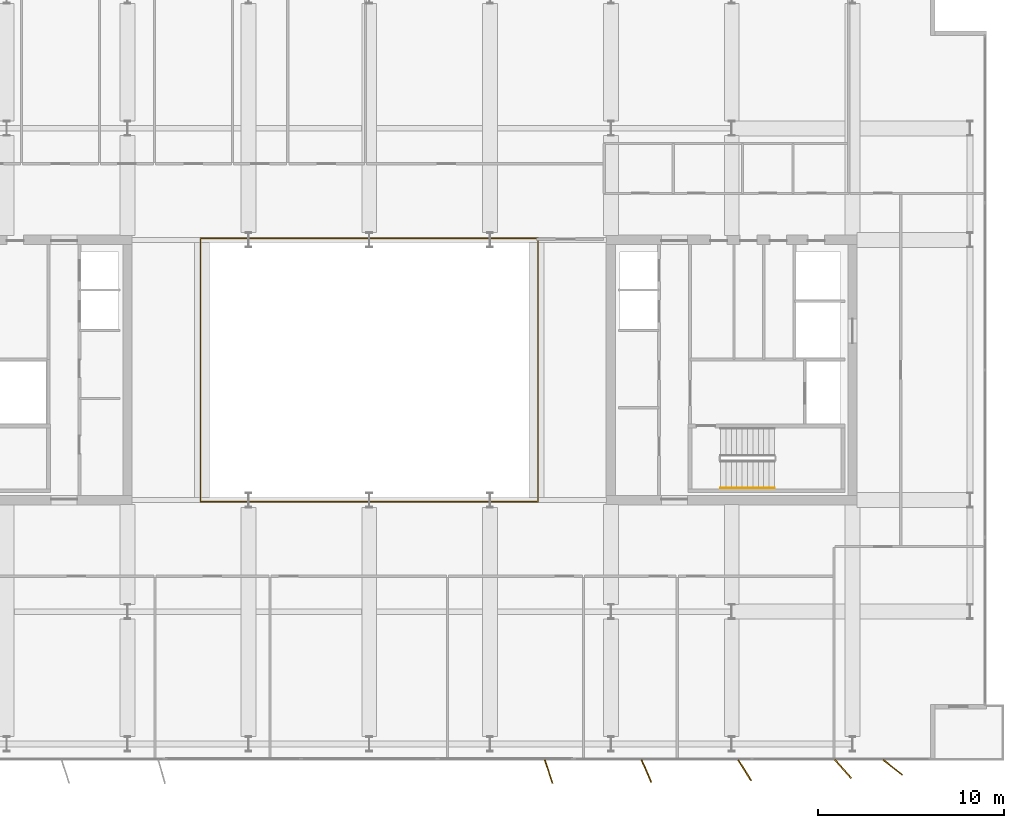
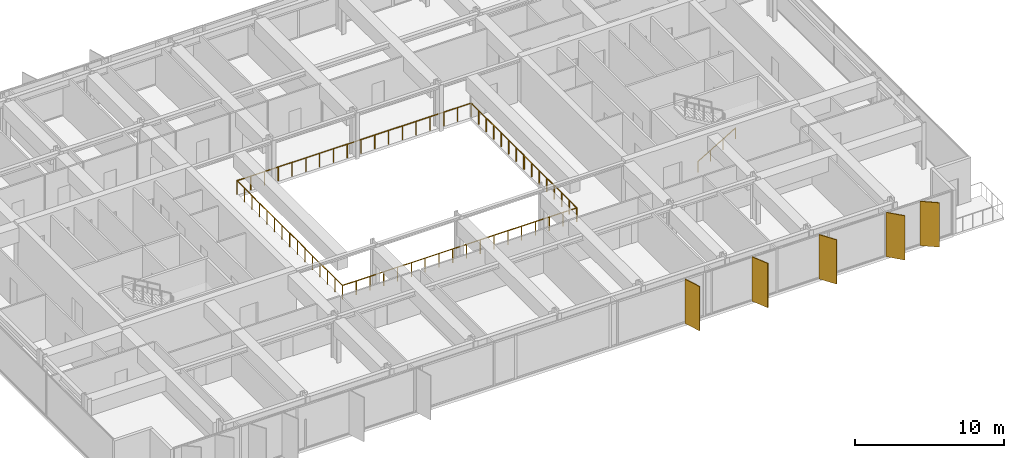
# One storey, part 22 of 24: 5 shading devices, 3 railings.
"""IFC4 building model written with IfcOpenShell, lengths in metres."""

from ifc_helpers import new_model, si_unit, direction, frame, origin, origin_2d, place, context, subcontext, project, spatial, rectangle, circle, extrude, material, layer, layer_set, type_object, element, save


model = new_model("IFC4")

# Units and contexts
model_context = context("Model", 3, precision=1e-05, world=origin(), true_north=direction((0.0, 1.0)))
body_context = subcontext(model_context, "Body", "Model", "MODEL_VIEW")
ifc_project = project(units=[si_unit("LENGTHUNIT", "METRE"), si_unit("AREAUNIT", "SQUARE_METRE"), si_unit("VOLUMEUNIT", "CUBIC_METRE"), si_unit("PLANEANGLEUNIT", "RADIAN"), si_unit("MASSUNIT", "GRAM", prefix="KILO")], contexts=[model_context])

# Site, building, storey
site_placement = place(None, origin())
site = spatial("IfcSite", under=ifc_project, at=site_placement, CompositionType="ELEMENT")
building_placement = place(site_placement, origin())
building = spatial("IfcBuilding", under=site, at=building_placement, Name="Putna Gate Headquarters", CompositionType="ELEMENT")
storey_placement = place(building_placement, frame((0.0, 0.0, 251.800048828125)))
storey = spatial("IfcBuildingStorey", under=building, at=storey_placement, Name="L63", CompositionType="ELEMENT", Elevation=251.800048828125)

# Railings
ifc_material_1 = material(Name="Anodised bronze and laminated glass atrium balustrade", Category="glass")
railing_type_1 = type_object("IfcRailingType", Name="RAIL-ATRIUM-GUARD-1150", PredefinedType="GUARDRAIL", material=ifc_material_1)
railing_1_placement = place(storey_placement, frame((29.919921875, 25.969970703125, 0.0)))
element("IfcRailing", 1, at=railing_1_placement, inside=storey, type_object=railing_type_1, Name="L63 Central Atrium Glazed Balustrade South", PredefinedType="GUARDRAIL", context=body_context, shape_type="SweptSolid", body=[
    extrude(circle(Radius=0.02392578125, at=origin_2d()), frame((0.0, 0.0, 1.1259765625), z_axis=(0.0, -1.0, 0.0), x_axis=(1.0, 0.0, 0.0)), (0.0, 0.0, 1.0), 7.050048828125),
    extrude(circle(Radius=0.02392578125, at=origin_2d()), frame((0.0, -7.050048828125, 1.1259765625), z_axis=(1.0, 0.0, 0.0), x_axis=(0.0, 1.0, 0.0)), (0.0, 0.0, 1.0), 18.16015625),
    extrude(circle(Radius=0.02392578125, at=origin_2d()), frame((18.16015625, -7.050048828125, 1.1259765625), z_axis=(0.0, 1.0, 0.0), x_axis=(-1.0, 0.0, 0.0)), (0.0, 0.0, 1.0), 7.050048828125),
    extrude(circle(Radius=0.02099609375, at=origin_2d()), origin(), (0.0, 0.0, 1.0), 1.101806640625),
    extrude(circle(Radius=0.02099609375, at=origin_2d()), frame((0.0, -1.007080078125, 0.0)), (0.0, 0.0, 1.0), 1.101806640625),
    extrude(circle(Radius=0.02099609375, at=origin_2d()), frame((0.0, -2.014404296875, 0.0)), (0.0, 0.0, 1.0), 1.101806640625),
    extrude(circle(Radius=0.02099609375, at=origin_2d()), frame((0.0, -3.021484375, 0.0)), (0.0, 0.0, 1.0), 1.101806640625),
    extrude(circle(Radius=0.02099609375, at=origin_2d()), frame((0.0, -4.028564453125, 0.0)), (0.0, 0.0, 1.0), 1.101806640625),
    extrude(circle(Radius=0.02099609375, at=origin_2d()), frame((0.0, -5.03564453125, 0.0)), (0.0, 0.0, 1.0), 1.101806640625),
    extrude(circle(Radius=0.02099609375, at=origin_2d()), frame((0.0, -6.04296875, 0.0)), (0.0, 0.0, 1.0), 1.101806640625),
    extrude(circle(Radius=0.02099609375, at=origin_2d()), frame((0.0, -7.050048828125, 0.0)), (0.0, 0.0, 1.0), 1.101806640625),
    extrude(circle(Radius=0.02099609375, at=origin_2d()), frame((1.068359375, -7.050048828125, 0.0)), (0.0, 0.0, 1.0), 1.101806640625),
    extrude(circle(Radius=0.02099609375, at=origin_2d()), frame((2.136474609375, -7.050048828125, 0.0)), (0.0, 0.0, 1.0), 1.101806640625),
    extrude(circle(Radius=0.02099609375, at=origin_2d()), frame((3.204833984375, -7.050048828125, 0.0)), (0.0, 0.0, 1.0), 1.101806640625),
    extrude(circle(Radius=0.02099609375, at=origin_2d()), frame((4.27294921875, -7.050048828125, 0.0)), (0.0, 0.0, 1.0), 1.101806640625),
    extrude(circle(Radius=0.02099609375, at=origin_2d()), frame((5.34130859375, -7.050048828125, 0.0)), (0.0, 0.0, 1.0), 1.101806640625),
    extrude(circle(Radius=0.02099609375, at=origin_2d()), frame((6.409423828125, -7.050048828125, 0.0)), (0.0, 0.0, 1.0), 1.101806640625),
    extrude(circle(Radius=0.02099609375, at=origin_2d()), frame((7.477783203125, -7.050048828125, 0.0)), (0.0, 0.0, 1.0), 1.101806640625),
    extrude(circle(Radius=0.02099609375, at=origin_2d()), frame((8.5458984375, -7.050048828125, 0.0)), (0.0, 0.0, 1.0), 1.101806640625),
    extrude(circle(Radius=0.02099609375, at=origin_2d()), frame((9.6142578125, -7.050048828125, 0.0)), (0.0, 0.0, 1.0), 1.101806640625),
    extrude(circle(Radius=0.02099609375, at=origin_2d()), frame((10.682373046875, -7.050048828125, 0.0)), (0.0, 0.0, 1.0), 1.101806640625),
    extrude(circle(Radius=0.02099609375, at=origin_2d()), frame((11.750732421875, -7.050048828125, 0.0)), (0.0, 0.0, 1.0), 1.101806640625),
    extrude(circle(Radius=0.02099609375, at=origin_2d()), frame((12.81884765625, -7.050048828125, 0.0)), (0.0, 0.0, 1.0), 1.101806640625),
    extrude(circle(Radius=0.02099609375, at=origin_2d()), frame((13.88720703125, -7.050048828125, 0.0)), (0.0, 0.0, 1.0), 1.101806640625),
    extrude(circle(Radius=0.02099609375, at=origin_2d()), frame((14.955322265625, -7.050048828125, 0.0)), (0.0, 0.0, 1.0), 1.101806640625),
    extrude(circle(Radius=0.02099609375, at=origin_2d()), frame((16.023681640625, -7.050048828125, 0.0)), (0.0, 0.0, 1.0), 1.101806640625),
    extrude(circle(Radius=0.02099609375, at=origin_2d()), frame((17.091796875, -7.050048828125, 0.0)), (0.0, 0.0, 1.0), 1.101806640625),
    extrude(circle(Radius=0.02099609375, at=origin_2d()), frame((18.16015625, -7.050048828125, 0.0)), (0.0, 0.0, 1.0), 1.101806640625),
    extrude(circle(Radius=0.02099609375, at=origin_2d()), frame((18.16015625, -6.04296875, 0.0)), (0.0, 0.0, 1.0), 1.101806640625),
    extrude(circle(Radius=0.02099609375, at=origin_2d()), frame((18.16015625, -5.03564453125, 0.0)), (0.0, 0.0, 1.0), 1.101806640625),
    extrude(circle(Radius=0.02099609375, at=origin_2d()), frame((18.16015625, -4.028564453125, 0.0)), (0.0, 0.0, 1.0), 1.101806640625),
    extrude(circle(Radius=0.02099609375, at=origin_2d()), frame((18.16015625, -3.021484375, 0.0)), (0.0, 0.0, 1.0), 1.101806640625),
    extrude(circle(Radius=0.02099609375, at=origin_2d()), frame((18.16015625, -2.014404296875, 0.0)), (0.0, 0.0, 1.0), 1.101806640625),
    extrude(circle(Radius=0.02099609375, at=origin_2d()), frame((18.16015625, -1.007080078125, 0.0)), (0.0, 0.0, 1.0), 1.101806640625),
    extrude(circle(Radius=0.02099609375, at=origin_2d()), frame((18.16015625, 0.0, 0.0)), (0.0, 0.0, 1.0), 1.101806640625),
])
railing_2_placement = place(storey_placement, frame((48.080078125, 26.030029296875, 0.0)))
element("IfcRailing", 2, at=railing_2_placement, inside=storey, type_object=railing_type_1, Name="L63 Central Atrium Glazed Balustrade North", PredefinedType="GUARDRAIL", context=body_context, shape_type="SweptSolid", body=[
    extrude(circle(Radius=0.02392578125, at=origin_2d()), frame((0.0, 0.0, 1.1259765625), z_axis=(0.0, 1.0, 0.0), x_axis=(-1.0, 0.0, 0.0)), (0.0, 0.0, 1.0), 7.050048828125),
    extrude(circle(Radius=0.02392578125, at=origin_2d()), frame((0.0, 7.050048828125, 1.1259765625), z_axis=(-1.0, 0.0, 0.0), x_axis=(0.0, -1.0, 0.0)), (0.0, 0.0, 1.0), 18.16015625),
    extrude(circle(Radius=0.02392578125, at=origin_2d()), frame((-18.16015625, 7.050048828125, 1.1259765625), z_axis=(0.0, -1.0, 0.0), x_axis=(1.0, 0.0, 0.0)), (0.0, 0.0, 1.0), 7.050048828125),
    extrude(circle(Radius=0.02099609375, at=origin_2d()), origin(), (0.0, 0.0, 1.0), 1.101806640625),
    extrude(circle(Radius=0.02099609375, at=origin_2d()), frame((0.0, 1.007080078125, 0.0)), (0.0, 0.0, 1.0), 1.101806640625),
    extrude(circle(Radius=0.02099609375, at=origin_2d()), frame((0.0, 2.014404296875, 0.0)), (0.0, 0.0, 1.0), 1.101806640625),
    extrude(circle(Radius=0.02099609375, at=origin_2d()), frame((0.0, 3.021484375, 0.0)), (0.0, 0.0, 1.0), 1.101806640625),
    extrude(circle(Radius=0.02099609375, at=origin_2d()), frame((0.0, 4.028564453125, 0.0)), (0.0, 0.0, 1.0), 1.101806640625),
    extrude(circle(Radius=0.02099609375, at=origin_2d()), frame((0.0, 5.03564453125, 0.0)), (0.0, 0.0, 1.0), 1.101806640625),
    extrude(circle(Radius=0.02099609375, at=origin_2d()), frame((0.0, 6.04296875, 0.0)), (0.0, 0.0, 1.0), 1.101806640625),
    extrude(circle(Radius=0.02099609375, at=origin_2d()), frame((0.0, 7.050048828125, 0.0)), (0.0, 0.0, 1.0), 1.101806640625),
    extrude(circle(Radius=0.02099609375, at=origin_2d()), frame((-1.068359375, 7.050048828125, 0.0)), (0.0, 0.0, 1.0), 1.101806640625),
    extrude(circle(Radius=0.02099609375, at=origin_2d()), frame((-2.136474609375, 7.050048828125, 0.0)), (0.0, 0.0, 1.0), 1.101806640625),
    extrude(circle(Radius=0.02099609375, at=origin_2d()), frame((-3.204833984375, 7.050048828125, 0.0)), (0.0, 0.0, 1.0), 1.101806640625),
    extrude(circle(Radius=0.02099609375, at=origin_2d()), frame((-4.27294921875, 7.050048828125, 0.0)), (0.0, 0.0, 1.0), 1.101806640625),
    extrude(circle(Radius=0.02099609375, at=origin_2d()), frame((-5.34130859375, 7.050048828125, 0.0)), (0.0, 0.0, 1.0), 1.101806640625),
    extrude(circle(Radius=0.02099609375, at=origin_2d()), frame((-6.409423828125, 7.050048828125, 0.0)), (0.0, 0.0, 1.0), 1.101806640625),
    extrude(circle(Radius=0.02099609375, at=origin_2d()), frame((-7.477783203125, 7.050048828125, 0.0)), (0.0, 0.0, 1.0), 1.101806640625),
    extrude(circle(Radius=0.02099609375, at=origin_2d()), frame((-8.5458984375, 7.050048828125, 0.0)), (0.0, 0.0, 1.0), 1.101806640625),
    extrude(circle(Radius=0.02099609375, at=origin_2d()), frame((-9.6142578125, 7.050048828125, 0.0)), (0.0, 0.0, 1.0), 1.101806640625),
    extrude(circle(Radius=0.02099609375, at=origin_2d()), frame((-10.682373046875, 7.050048828125, 0.0)), (0.0, 0.0, 1.0), 1.101806640625),
    extrude(circle(Radius=0.02099609375, at=origin_2d()), frame((-11.750732421875, 7.050048828125, 0.0)), (0.0, 0.0, 1.0), 1.101806640625),
    extrude(circle(Radius=0.02099609375, at=origin_2d()), frame((-12.81884765625, 7.050048828125, 0.0)), (0.0, 0.0, 1.0), 1.101806640625),
    extrude(circle(Radius=0.02099609375, at=origin_2d()), frame((-13.88720703125, 7.050048828125, 0.0)), (0.0, 0.0, 1.0), 1.101806640625),
    extrude(circle(Radius=0.02099609375, at=origin_2d()), frame((-14.955322265625, 7.050048828125, 0.0)), (0.0, 0.0, 1.0), 1.101806640625),
    extrude(circle(Radius=0.02099609375, at=origin_2d()), frame((-16.023681640625, 7.050048828125, 0.0)), (0.0, 0.0, 1.0), 1.101806640625),
    extrude(circle(Radius=0.02099609375, at=origin_2d()), frame((-17.091796875, 7.050048828125, 0.0)), (0.0, 0.0, 1.0), 1.101806640625),
    extrude(circle(Radius=0.02099609375, at=origin_2d()), frame((-18.16015625, 7.050048828125, 0.0)), (0.0, 0.0, 1.0), 1.101806640625),
    extrude(circle(Radius=0.02099609375, at=origin_2d()), frame((-18.16015625, 6.04296875, 0.0)), (0.0, 0.0, 1.0), 1.101806640625),
    extrude(circle(Radius=0.02099609375, at=origin_2d()), frame((-18.16015625, 5.03564453125, 0.0)), (0.0, 0.0, 1.0), 1.101806640625),
    extrude(circle(Radius=0.02099609375, at=origin_2d()), frame((-18.16015625, 4.028564453125, 0.0)), (0.0, 0.0, 1.0), 1.101806640625),
    extrude(circle(Radius=0.02099609375, at=origin_2d()), frame((-18.16015625, 3.021484375, 0.0)), (0.0, 0.0, 1.0), 1.101806640625),
    extrude(circle(Radius=0.02099609375, at=origin_2d()), frame((-18.16015625, 2.014404296875, 0.0)), (0.0, 0.0, 1.0), 1.101806640625),
    extrude(circle(Radius=0.02099609375, at=origin_2d()), frame((-18.16015625, 1.007080078125, 0.0)), (0.0, 0.0, 1.0), 1.101806640625),
    extrude(circle(Radius=0.02099609375, at=origin_2d()), frame((-18.16015625, 0.0, 0.0)), (0.0, 0.0, 1.0), 1.101806640625),
])
ifc_material_2 = material(Name="Brushed stainless steel handrail", Category="steel")
railing_type_2 = type_object("IfcRailingType", Name="RAIL-STAIR-HAND-900", PredefinedType="HANDRAIL", material=ifc_material_2)
railing_3_placement = place(storey_placement, frame((57.89990234375, 19.64990234375, 0.172607421875)))
element("IfcRailing", 3, at=railing_3_placement, inside=storey, type_object=railing_type_2, Name="L63 ST2 stair handrail 1", PredefinedType="HANDRAIL", context=body_context, shape_type="SweptSolid", body=[
    extrude(circle(Radius=0.02392578125, at=origin_2d()), frame((0.0, 0.0, 0.8759765625), z_axis=(0.859160404282, 0.0, 0.51170636083), x_axis=(0.0, 1.0, 0.0)), (0.0, 0.0, 1.0), 3.37548828125),
    extrude(circle(Radius=0.02099609375, at=origin_2d()), origin(), (0.0, 0.0, 1.0), 0.851806640625),
    extrude(circle(Radius=0.02099609375, at=origin_2d()), frame((0.966796875, 0.0, 0.57568359375)), (0.0, 0.0, 1.0), 0.851806640625),
    extrude(circle(Radius=0.02099609375, at=origin_2d()), frame((1.933349609375, 0.0, 1.151611328125)), (0.0, 0.0, 1.0), 0.851806640625),
    extrude(circle(Radius=0.02099609375, at=origin_2d()), frame((2.900146484375, 0.0, 1.727294921875)), (0.0, 0.0, 1.0), 0.851806640625),
])

# Shading devices
ifc_material_3 = material(Name="Anodised architectural bronze aluminium fin", Category="aluminium")
ifc_layer = layer(ifc_material_3, 0.06494140625)
ifc_layer_set = layer_set([ifc_layer], Name="Anodised architectural bronze aluminium fin")
shading_device_type = type_object("IfcShadingDeviceType", Name="SHADE-BRONZE-FIN-1320", PredefinedType="USERDEFINED", material=ifc_layer_set)
for number, where, z_axis, x_axis, name in (
    (4, (48.65380859375, 4.397216796875, -0.02001953125), (0.0, 0.0, 1.0), (0.308684994204, -0.951164325631, 0.0), "L63 Bronze Vertical Shading Fin S7"),
    (5, (53.914306640625, 4.42041015625, -0.02001953125), (0.0, 0.0, 1.0), (0.400668879095, -0.916222925562, 0.0), "L63 Bronze Vertical Shading Fin S8"),
    (6, (59.2001953125, 4.465576171875, -0.02001953125), (0.0, 0.0, 1.0), (0.530659123936, -0.847585331506, 0.0), "L63 Bronze Vertical Shading Fin S9"),
    (7, (64.49169921875, 4.534423828125, -0.02001953125), (0.0, 0.0, 1.0), (0.669130606359, -0.743144825477, 0.0), "L63 Bronze Vertical Shading Fin S10"),
    (8, (67.169677734375, 4.6181640625, -0.02001953125), (0.0, 0.0, 1.0), (0.787473187632, -0.616348909921, 0.0), "L63 Bronze Vertical Shading Fin S11"),
):
    element("IfcShadingDevice", number, at=place(storey_placement, frame(where, z_axis=z_axis, x_axis=x_axis)), inside=storey, type_object=shading_device_type, Name=name, ObjectType="FIN", PredefinedType="USERDEFINED", context=body_context, shape_type="SweptSolid", body=[
        extrude(rectangle(XDim=1.320068359375, YDim=0.06494140625, at=origin_2d()), origin(), (0.0, 0.0, 1.0), 3.6279296875),
    ])

save(model, "model.ifc")
